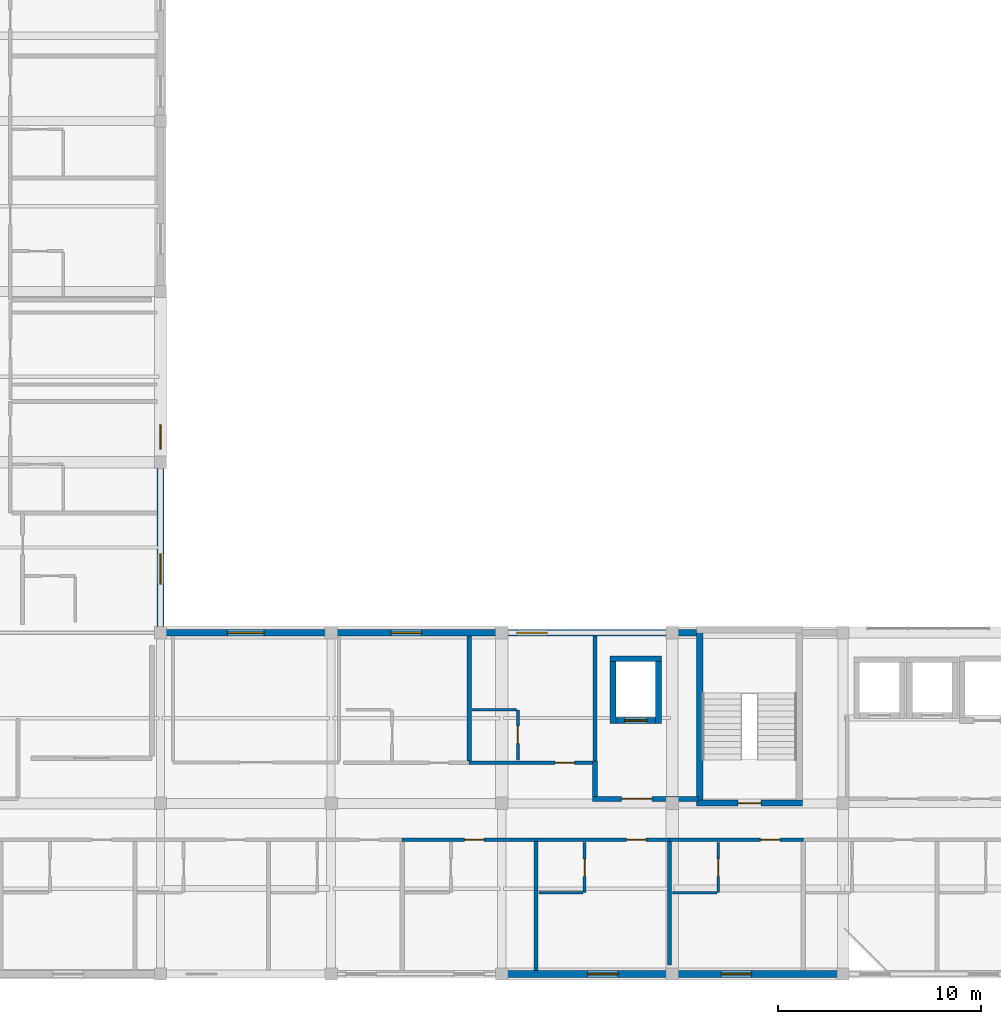
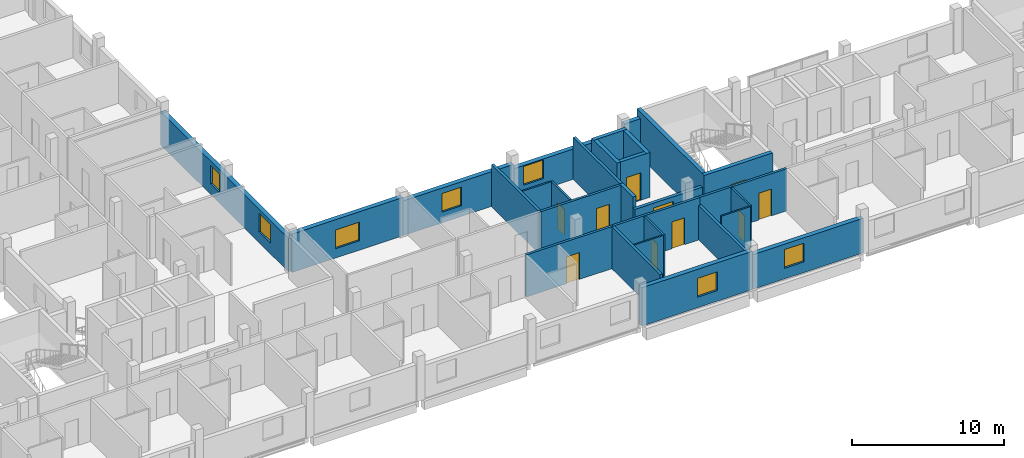
# One storey, part 14 of 24: 29 walls, 10 doors, 7 windows, 17 openings.
"""IFC4 building model written with IfcOpenShell, lengths in metres."""

from ifc_helpers import new_model, si_unit, derived_unit, direction, frame, frame_2d, origin, place, context, subcontext, project, spatial, rectangle, extrude, material, layer, layer_set, type_object, element, fill, save


model = new_model("IFC4")

# Units and contexts
model_context = context("Model", 3, precision=1e-05, world=origin(), true_north=direction((0.0, 1.0)))
body_context = subcontext(model_context, "Body", "Model", "MODEL_VIEW")
ifc_project = project(units=[si_unit("LENGTHUNIT", "METRE"), si_unit("AREAUNIT", "SQUARE_METRE"), si_unit("VOLUMEUNIT", "CUBIC_METRE"), si_unit("PLANEANGLEUNIT", "RADIAN"), si_unit("MASSUNIT", "GRAM", prefix="KILO"), derived_unit("THERMALTRANSMITTANCEUNIT", [(si_unit("POWERUNIT", "WATT"), 1), (si_unit("LENGTHUNIT", "METRE"), -2), (si_unit("THERMODYNAMICTEMPERATUREUNIT", "KELVIN"), -1)])], contexts=[model_context])

# Site, building, storey
site_placement = place(None, origin())
site = spatial("IfcSite", under=ifc_project, at=site_placement, CompositionType="ELEMENT")
building_placement = place(site_placement, origin())
building = spatial("IfcBuilding", under=site, at=building_placement, Name="Barrovel Congress Hotel", CompositionType="ELEMENT")
storey_placement = place(building_placement, frame((0.0, 0.0, 29.10009765625)))
storey = spatial("IfcBuildingStorey", under=building, at=storey_placement, Name="L07", CompositionType="ELEMENT", Elevation=29.10009765625)

# Wall, opening, window
ifc_material_1 = material(Name="Fired Clay Brick Masonry", Category="masonry")
ifc_layer_1 = layer(ifc_material_1, 0.340087890625)
ifc_layer_set_1 = layer_set([ifc_layer_1], Name="Fired Clay Brick Masonry")
wall_type_1 = type_object("IfcWallType", Name="EW-BRK340", PredefinedType="STANDARD", material=ifc_layer_set_1)
wall_1_placement = place(storey_placement, frame((75.60009765625, 21.0, 0.0), z_axis=(0.0, 0.0, 1.0), x_axis=(-1.0, 0.0, 0.0)))
wall_1 = element("IfcWall", 1, at=wall_1_placement, inside=storey, type_object=wall_type_1, Name="EW:L07:HS-NE-4", PredefinedType="STANDARD", context=body_context, shape_type="SweptSolid", body=[
    extrude(rectangle(XDim=8.400146484375, YDim=0.340087890625, at=frame_2d((4.2001953125, 0.0))), origin(), (0.0, 0.0, 1.0), 2.429931640625),
])
opening_1_placement = place(wall_1_placement, frame((6.14990234375, 0.0, 0.85009765625)))
opening_1 = element("IfcOpeningElement", 2, at=opening_1_placement, cuts=wall_1, Name="Opening WN-07", PredefinedType="OPENING", context=body_context, shape_type="SweptSolid", body=[
    extrude(rectangle(XDim=1.5, YDim=1.5, at=frame_2d((0.75, 0.75))), frame((0.0, 0.18017578125, 0.0), z_axis=(0.0, -1.0, 0.0), x_axis=(1.0, 0.0, 0.0)), (0.0, 0.0, 1.0), 0.360107421875),
])
ifc_material_2 = material(Name="Double Low-E Insulated Glazing", Category="glass")
window_type_1 = type_object("IfcWindowType", Name="WIN-WN-07", PartitioningType="SINGLE_PANEL", PredefinedType="WINDOW", material=ifc_material_2)
window_1_placement = place(opening_1_placement, origin())
window_1 = element("IfcWindow", 3, at=window_1_placement, inside=storey, type_object=window_type_1, Name="WIN:L07:U20", OverallHeight=1.5, OverallWidth=1.5, PartitioningType="SINGLE_PANEL", PredefinedType="WINDOW", context=body_context, shape_type="SweptSolid", body=[
    extrude(rectangle(XDim=1.5, YDim=1.5, at=frame_2d((0.75, 0.75))), frame((0.0, 0.030029296875, 0.0), z_axis=(0.0, -1.0, 0.0), x_axis=(1.0, 0.0, 0.0)), (0.0, 0.0, 1.0), 0.06005859375),
])
fill(opening_1, window_1)

# Wall, openings, windows
wall_2_placement = place(storey_placement, frame((50.39990234375, 21.0, 0.0), z_axis=(0.0, 0.0, 1.0), x_axis=(0.0, 1.0, 0.0)))
wall_2 = element("IfcWall", 4, at=wall_2_placement, inside=storey, type_object=wall_type_1, Name="EW:L07:HW-E-1", PredefinedType="STANDARD", context=body_context, shape_type="SweptSolid", body=[
    extrude(rectangle(XDim=16.800048828125, YDim=0.340087890625, at=frame_2d((8.39990234375, 0.0))), origin(), (0.0, 0.0, 1.0), 2.679931640625),
])
opening_2_placement = place(wall_2_placement, frame((2.39990234375, 0.0, 0.85009765625)))
opening_2 = element("IfcOpeningElement", 5, at=opening_2_placement, cuts=wall_2, Name="Opening WN-07", PredefinedType="OPENING", context=body_context, shape_type="SweptSolid", body=[
    extrude(rectangle(XDim=1.5, YDim=1.5, at=frame_2d((0.75, 0.75))), frame((0.0, 0.18017578125, 0.0), z_axis=(0.0, -1.0, 0.0), x_axis=(1.0, 0.0, 0.0)), (0.0, 0.0, 1.0), 0.360107421875),
])
opening_3_placement = place(wall_2_placement, frame((9.050048828125, 0.0, 0.85009765625)))
opening_3 = element("IfcOpeningElement", 6, at=opening_3_placement, cuts=wall_2, Name="Opening WN-06", PredefinedType="OPENING", context=body_context, shape_type="SweptSolid", body=[
    extrude(rectangle(XDim=1.199951171875, YDim=1.5, at=frame_2d((0.60009765625, 0.75))), frame((0.0, 0.18017578125, 0.0), z_axis=(0.0, -1.0, 0.0), x_axis=(1.0, 0.0, 0.0)), (0.0, 0.0, 1.0), 0.360107421875),
])
window_type_2 = type_object("IfcWindowType", Name="WIN-WN-06", PartitioningType="SINGLE_PANEL", PredefinedType="WINDOW", material=ifc_material_2)
window_2_placement = place(opening_3_placement, origin())
window_2 = element("IfcWindow", 7, at=window_2_placement, inside=storey, type_object=window_type_2, Name="WIN:L07:U38", OverallHeight=1.5, OverallWidth=1.199951171875, PartitioningType="SINGLE_PANEL", PredefinedType="WINDOW", context=body_context, shape_type="SweptSolid", body=[
    extrude(rectangle(XDim=1.199951171875, YDim=1.5, at=frame_2d((0.60009765625, 0.75))), frame((0.0, 0.030029296875, 0.0), z_axis=(0.0, -1.0, 0.0), x_axis=(1.0, 0.0, 0.0)), (0.0, 0.0, 1.0), 0.06005859375),
])
fill(opening_3, window_2)
window_3_placement = place(opening_2_placement, origin())
window_3 = element("IfcWindow", 8, at=window_3_placement, inside=storey, type_object=window_type_1, Name="WIN:L07:U37", OverallHeight=1.5, OverallWidth=1.5, PartitioningType="SINGLE_PANEL", PredefinedType="WINDOW", context=body_context, shape_type="SweptSolid", body=[
    extrude(rectangle(XDim=1.5, YDim=1.5, at=frame_2d((0.75, 0.75))), frame((0.0, 0.030029296875, 0.0), z_axis=(0.0, -1.0, 0.0), x_axis=(1.0, 0.0, 0.0)), (0.0, 0.0, 1.0), 0.06005859375),
])
fill(opening_2, window_3)

# Wall, opening, window
wall_3_placement = place(storey_placement, frame((67.199951171875, 4.199951171875, 0.0), z_axis=(0.0, 0.0, 1.0), x_axis=(1.0, 0.0, 0.0)))
wall_3 = element("IfcWall", 9, at=wall_3_placement, inside=storey, type_object=wall_type_1, Name="EW:L07:HS-S:P06", PredefinedType="STANDARD", context=body_context, shape_type="SweptSolid", body=[
    extrude(rectangle(XDim=8.400146484375, YDim=0.340087890625, at=frame_2d((4.2001953125, 0.0))), origin(), (0.0, 0.0, 1.0), 3.0751953125),
])
opening_4_placement = place(wall_3_placement, frame((4.22509765625, 0.0, 0.85009765625)))
opening_4 = element("IfcOpeningElement", 10, at=opening_4_placement, cuts=wall_3, Name="Opening WN-07", PredefinedType="OPENING", context=body_context, shape_type="SweptSolid", body=[
    extrude(rectangle(XDim=1.5, YDim=1.5, at=frame_2d((0.75, 0.75))), frame((0.0, 0.18017578125, 0.0), z_axis=(0.0, -1.0, 0.0), x_axis=(1.0, 0.0, 0.0)), (0.0, 0.0, 1.0), 0.360107421875),
])
window_4_placement = place(opening_4_placement, origin())
window_4 = element("IfcWindow", 11, at=window_4_placement, inside=storey, type_object=window_type_1, Name="WIN:L07:U09", OverallHeight=1.5, OverallWidth=1.5, PartitioningType="SINGLE_PANEL", PredefinedType="WINDOW", context=body_context, shape_type="SweptSolid", body=[
    extrude(rectangle(XDim=1.5, YDim=1.5, at=frame_2d((0.75, 0.75))), frame((0.0, 0.030029296875, 0.0), z_axis=(0.0, -1.0, 0.0), x_axis=(1.0, 0.0, 0.0)), (0.0, 0.0, 1.0), 0.06005859375),
])
fill(opening_4, window_4)

wall_4_placement = place(storey_placement, frame((75.60009765625, 4.199951171875, 0.0), z_axis=(0.0, 0.0, 1.0), x_axis=(1.0, 0.0, 0.0)))
wall_4 = element("IfcWall", 12, at=wall_4_placement, inside=storey, type_object=wall_type_1, Name="EW:L07:HS-S:P07", PredefinedType="STANDARD", context=body_context, shape_type="SweptSolid", body=[
    extrude(rectangle(XDim=8.39990234375, YDim=0.340087890625, at=frame_2d((4.199951171875, 0.0))), origin(), (0.0, 0.0, 1.0), 2.77978515625),
])
opening_5_placement = place(wall_4_placement, frame((2.408447265625, 0.0, 0.85009765625)))
opening_5 = element("IfcOpeningElement", 13, at=opening_5_placement, cuts=wall_4, Name="Opening WN-07", PredefinedType="OPENING", context=body_context, shape_type="SweptSolid", body=[
    extrude(rectangle(XDim=1.5, YDim=1.5, at=frame_2d((0.75, 0.75))), frame((0.0, 0.18017578125, 0.0), z_axis=(0.0, -1.0, 0.0), x_axis=(1.0, 0.0, 0.0)), (0.0, 0.0, 1.0), 0.360107421875),
])
window_5_placement = place(opening_5_placement, origin())
window_5 = element("IfcWindow", 14, at=window_5_placement, inside=storey, type_object=window_type_1, Name="WIN:L07:U10", OverallHeight=1.5, OverallWidth=1.5, PartitioningType="SINGLE_PANEL", PredefinedType="WINDOW", context=body_context, shape_type="SweptSolid", body=[
    extrude(rectangle(XDim=1.5, YDim=1.5, at=frame_2d((0.75, 0.75))), frame((0.0, 0.030029296875, 0.0), z_axis=(0.0, -1.0, 0.0), x_axis=(1.0, 0.0, 0.0)), (0.0, 0.0, 1.0), 0.06005859375),
])
fill(opening_5, window_5)

# Wall
wall_5_placement = place(storey_placement, frame((76.800048828125, 21.0, 0.0), z_axis=(0.0, 0.0, 1.0), x_axis=(-1.0, 0.0, 0.0)))
element("IfcWall", 15, at=wall_5_placement, inside=storey, type_object=wall_type_1, Name="EW:L07:HS-NE-4:P01", PredefinedType="STANDARD", context=body_context, shape_type="SweptSolid", body=[
    extrude(rectangle(XDim=1.199951171875, YDim=0.340087890625, at=frame_2d((0.60009765625, 0.0))), origin(), (0.0, 0.0, 1.0), 3.06982421875),
])

# Wall, opening, window
wall_6_placement = place(storey_placement, frame((67.199951171875, 21.0, 0.0), z_axis=(0.0, 0.0, 1.0), x_axis=(-1.0, 0.0, 0.0)))
wall_6 = element("IfcWall", 16, at=wall_6_placement, inside=storey, type_object=wall_type_1, Name="EW:L07:HS-NE-4:P03", PredefinedType="STANDARD", context=body_context, shape_type="SweptSolid", body=[
    extrude(rectangle(XDim=8.39990234375, YDim=0.340087890625, at=frame_2d((4.199951171875, 0.0))), origin(), (0.0, 0.0, 1.0), 2.77978515625),
])
opening_6_placement = place(wall_6_placement, frame((3.949951171875, 0.0, 0.85009765625)))
opening_6 = element("IfcOpeningElement", 17, at=opening_6_placement, cuts=wall_6, Name="Opening WN-07", PredefinedType="OPENING", context=body_context, shape_type="SweptSolid", body=[
    extrude(rectangle(XDim=1.5, YDim=1.5, at=frame_2d((0.75, 0.75))), frame((0.0, 0.18017578125, 0.0), z_axis=(0.0, -1.0, 0.0), x_axis=(1.0, 0.0, 0.0)), (0.0, 0.0, 1.0), 0.360107421875),
])
window_6_placement = place(opening_6_placement, origin())
window_6 = element("IfcWindow", 18, at=window_6_placement, inside=storey, type_object=window_type_1, Name="WIN:L07:U19", OverallHeight=1.5, OverallWidth=1.5, PartitioningType="SINGLE_PANEL", PredefinedType="WINDOW", context=body_context, shape_type="SweptSolid", body=[
    extrude(rectangle(XDim=1.5, YDim=1.5, at=frame_2d((0.75, 0.75))), frame((0.0, 0.030029296875, 0.0), z_axis=(0.0, -1.0, 0.0), x_axis=(1.0, 0.0, 0.0)), (0.0, 0.0, 1.0), 0.06005859375),
])
fill(opening_6, window_6)

wall_7_placement = place(storey_placement, frame((58.800048828125, 21.0, 0.0), z_axis=(0.0, 0.0, 1.0), x_axis=(-1.0, 0.0, 0.0)))
wall_7 = element("IfcWall", 19, at=wall_7_placement, inside=storey, type_object=wall_type_1, Name="EW:L07:HS-NE-4:P04", PredefinedType="STANDARD", context=body_context, shape_type="SweptSolid", body=[
    extrude(rectangle(XDim=8.400146484375, YDim=0.340087890625, at=frame_2d((4.2001953125, 0.0))), origin(), (0.0, 0.0, 1.0), 3.0751953125),
])
opening_7_placement = place(wall_7_placement, frame((3.300048828125, 0.0, 0.75)))
opening_7 = element("IfcOpeningElement", 20, at=opening_7_placement, cuts=wall_7, Name="Opening WN-08", PredefinedType="OPENING", context=body_context, shape_type="SweptSolid", body=[
    extrude(rectangle(XDim=1.800048828125, YDim=1.5, at=frame_2d((0.89990234375, 0.75))), frame((0.0, 0.18017578125, 0.0), z_axis=(0.0, -1.0, 0.0), x_axis=(1.0, 0.0, 0.0)), (0.0, 0.0, 1.0), 0.360107421875),
])
window_type_3 = type_object("IfcWindowType", Name="WIN-WN-08", PartitioningType="SINGLE_PANEL", PredefinedType="WINDOW", material=ifc_material_2)
window_7_placement = place(opening_7_placement, origin())
window_7 = element("IfcWindow", 21, at=window_7_placement, inside=storey, type_object=window_type_3, Name="WIN:L07:SALON", OverallHeight=1.5, OverallWidth=1.800048828125, PartitioningType="SINGLE_PANEL", PredefinedType="WINDOW", context=body_context, shape_type="SweptSolid", body=[
    extrude(rectangle(XDim=1.800048828125, YDim=1.5, at=frame_2d((0.89990234375, 0.75))), frame((0.0, 0.030029296875, 0.0), z_axis=(0.0, -1.0, 0.0), x_axis=(1.0, 0.0, 0.0)), (0.0, 0.0, 1.0), 0.06005859375),
])
fill(opening_7, window_7)

# Wall, opening, door
ifc_material_3 = material(Name="Gypsum Acoustic Stud", Category="gypsum")
ifc_layer_2 = layer(ifc_material_3, 0.179931640625)
ifc_layer_set_2 = layer_set([ifc_layer_2], Name="Gypsum Acoustic Stud")
wall_type_2 = type_object("IfcWallType", Name="PW-ACU-180", PredefinedType="PARTITIONING", material=ifc_layer_set_2)
wall_8_placement = place(storey_placement, frame((62.300048828125, 10.800048828125, 0.0), z_axis=(0.0, 0.0, 1.0), x_axis=(1.0, 0.0, 0.0)))
wall_8 = element("IfcWall", 22, at=wall_8_placement, inside=storey, type_object=wall_type_2, Name="PW:L07:U08:COR", PredefinedType="PARTITIONING", context=body_context, shape_type="SweptSolid", body=[
    extrude(rectangle(XDim=6.583251953125, YDim=0.179931640625, at=frame_2d((3.29150390625, 0.0))), origin(), (0.0, 0.0, 1.0), 3.375),
])
opening_8_placement = place(wall_8_placement, frame((3.068603515625, 0.0, 0.0)))
opening_8 = element("IfcOpeningElement", 23, at=opening_8_placement, cuts=wall_8, Name="Opening ID-HTL", PredefinedType="OPENING", context=body_context, shape_type="SweptSolid", body=[
    extrude(rectangle(XDim=0.9599609375, YDim=2.14990234375, at=frame_2d((0.47998046875, 1.074951171875))), frame((0.0, 0.10009765625, 0.0), z_axis=(0.0, -1.0, 0.0), x_axis=(1.0, 0.0, 0.0)), (0.0, 0.0, 1.0), 0.199951171875),
])
ifc_material_4 = material(Name="Solid Oak Acoustic Timber Door", Category="wood")
door_type_1 = type_object("IfcDoorType", Name="IDR-ID-HTL", OperationType="NOTDEFINED", PredefinedType="DOOR", material=ifc_material_4)
door_1_placement = place(opening_8_placement, origin())
door_1 = element("IfcDoor", 24, at=door_1_placement, inside=storey, type_object=door_type_1, Name="DR:L07:U08:ENT", OperationType="SINGLE_SWING_RIGHT", OverallHeight=2.14990234375, OverallWidth=0.9599609375, PredefinedType="DOOR", context=body_context, shape_type="SweptSolid", body=[
    extrude(rectangle(XDim=0.9599609375, YDim=2.14990234375, at=frame_2d((0.47998046875, 1.074951171875))), frame((0.0, 0.02490234375, 0.0), z_axis=(0.0, -1.0, 0.0), x_axis=(1.0, 0.0, 0.0)), (0.0, 0.0, 1.0), 0.050048828125),
])
fill(opening_8, door_1)

wall_9_placement = place(storey_placement, frame((68.88330078125, 10.800048828125, 0.0), z_axis=(0.0, 0.0, 1.0), x_axis=(1.0, 0.0, 0.0)))
wall_9 = element("IfcWall", 25, at=wall_9_placement, inside=storey, type_object=wall_type_2, Name="PW:L07:U09:COR", PredefinedType="PARTITIONING", context=body_context, shape_type="SweptSolid", body=[
    extrude(rectangle(XDim=6.58349609375, YDim=0.179931640625, at=frame_2d((3.291748046875, 0.0))), origin(), (0.0, 0.0, 1.0), 3.375),
])
opening_9_placement = place(wall_9_placement, frame((4.46875, 0.0, 0.0)))
opening_9 = element("IfcOpeningElement", 26, at=opening_9_placement, cuts=wall_9, Name="Opening ID-HTL", PredefinedType="OPENING", context=body_context, shape_type="SweptSolid", body=[
    extrude(rectangle(XDim=0.9599609375, YDim=2.14990234375, at=frame_2d((0.47998046875, 1.074951171875))), frame((0.0, 0.10009765625, 0.0), z_axis=(0.0, -1.0, 0.0), x_axis=(1.0, 0.0, 0.0)), (0.0, 0.0, 1.0), 0.199951171875),
])
door_2_placement = place(opening_9_placement, origin())
door_2 = element("IfcDoor", 27, at=door_2_placement, inside=storey, type_object=door_type_1, Name="DR:L07:U09:ENT", OperationType="SINGLE_SWING_RIGHT", OverallHeight=2.14990234375, OverallWidth=0.9599609375, PredefinedType="DOOR", context=body_context, shape_type="SweptSolid", body=[
    extrude(rectangle(XDim=0.9599609375, YDim=2.14990234375, at=frame_2d((0.47998046875, 1.074951171875))), frame((0.0, 0.02490234375, 0.0), z_axis=(0.0, -1.0, 0.0), x_axis=(1.0, 0.0, 0.0)), (0.0, 0.0, 1.0), 0.050048828125),
])
fill(opening_9, door_2)

wall_10_placement = place(storey_placement, frame((75.466796875, 10.800048828125, 0.0), z_axis=(0.0, 0.0, 1.0), x_axis=(1.0, 0.0, 0.0)))
wall_10 = element("IfcWall", 28, at=wall_10_placement, inside=storey, type_object=wall_type_2, Name="PW:L07:U10:COR", PredefinedType="PARTITIONING", context=body_context, shape_type="SweptSolid", body=[
    extrude(rectangle(XDim=6.583251953125, YDim=0.179931640625, at=frame_2d((3.29150390625, 0.0))), origin(), (0.0, 0.0, 1.0), 3.375),
])
opening_10_placement = place(wall_10_placement, frame((4.468505859375, 0.0, 0.0)))
opening_10 = element("IfcOpeningElement", 29, at=opening_10_placement, cuts=wall_10, Name="Opening ID-HTL", PredefinedType="OPENING", context=body_context, shape_type="SweptSolid", body=[
    extrude(rectangle(XDim=0.9599609375, YDim=2.14990234375, at=frame_2d((0.47998046875, 1.074951171875))), frame((0.0, 0.10009765625, 0.0), z_axis=(0.0, -1.0, 0.0), x_axis=(1.0, 0.0, 0.0)), (0.0, 0.0, 1.0), 0.199951171875),
])
door_3_placement = place(opening_10_placement, origin())
door_3 = element("IfcDoor", 30, at=door_3_placement, inside=storey, type_object=door_type_1, Name="DR:L07:U10:ENT", OperationType="SINGLE_SWING_RIGHT", OverallHeight=2.14990234375, OverallWidth=0.9599609375, PredefinedType="DOOR", context=body_context, shape_type="SweptSolid", body=[
    extrude(rectangle(XDim=0.9599609375, YDim=2.14990234375, at=frame_2d((0.47998046875, 1.074951171875))), frame((0.0, 0.02490234375, 0.0), z_axis=(0.0, -1.0, 0.0), x_axis=(1.0, 0.0, 0.0)), (0.0, 0.0, 1.0), 0.050048828125),
])
fill(opening_10, door_3)

wall_11_placement = place(storey_placement, frame((65.60009765625, 14.60009765625, 0.0), z_axis=(0.0, 0.0, 1.0), x_axis=(1.0, 0.0, 0.0)))
wall_11 = element("IfcWall", 31, at=wall_11_placement, inside=storey, type_object=wall_type_2, Name="PW:L07:U20:COR", PredefinedType="PARTITIONING", context=body_context, shape_type="SweptSolid", body=[
    extrude(rectangle(XDim=6.199951171875, YDim=0.179931640625, at=frame_2d((3.10009765625, 0.0))), origin(), (0.0, 0.0, 1.0), 3.375),
])
opening_11_placement = place(wall_11_placement, frame((4.23095703125, 0.0, 0.0)))
opening_11 = element("IfcOpeningElement", 32, at=opening_11_placement, cuts=wall_11, Name="Opening ID-HTL", PredefinedType="OPENING", context=body_context, shape_type="SweptSolid", body=[
    extrude(rectangle(XDim=0.9599609375, YDim=2.14990234375, at=frame_2d((0.47998046875, 1.074951171875))), frame((0.0, 0.10009765625, 0.0), z_axis=(0.0, -1.0, 0.0), x_axis=(1.0, 0.0, 0.0)), (0.0, 0.0, 1.0), 0.199951171875),
])
door_4_placement = place(opening_11_placement, origin())
door_4 = element("IfcDoor", 33, at=door_4_placement, inside=storey, type_object=door_type_1, Name="DR:L07:U20:ENT", OperationType="SINGLE_SWING_RIGHT", OverallHeight=2.14990234375, OverallWidth=0.9599609375, PredefinedType="DOOR", context=body_context, shape_type="SweptSolid", body=[
    extrude(rectangle(XDim=0.9599609375, YDim=2.14990234375, at=frame_2d((0.47998046875, 1.074951171875))), frame((0.0, 0.02490234375, 0.0), z_axis=(0.0, -1.0, 0.0), x_axis=(1.0, 0.0, 0.0)), (0.0, 0.0, 1.0), 0.050048828125),
])
fill(opening_11, door_4)

# Walls
ifc_layer_3 = layer(ifc_material_3, 0.1201171875)
ifc_layer_set_3 = layer_set([ifc_layer_3], Name="Gypsum Acoustic Stud")
wall_type_3 = type_object("IfcWallType", Name="PW-INT-120", PredefinedType="PARTITIONING", material=ifc_layer_set_3)
wall_12_placement = place(storey_placement, frame((69.023193359375, 8.199951171875, 0.0), z_axis=(0.0, 0.0, 1.0), x_axis=(1.0, 0.0, 0.0)))
element("IfcWall", 34, at=wall_12_placement, inside=storey, type_object=wall_type_3, Name="PW:L07:U09:B2", PredefinedType="PARTITIONING", context=body_context, shape_type="SweptSolid", body=[
    extrude(rectangle(XDim=2.190185546875, YDim=0.1201171875, at=frame_2d((1.09521484375, 0.0))), origin(), (0.0, 0.0, 1.0), 3.375),
])
for number, where, z_axis, x_axis, name in (
    (35, (75.606689453125, 8.199951171875, 0.0), (0.0, 0.0, 1.0), (1.0, 0.0, 0.0), "PW:L07:U10:B2"),
    (36, (65.739990234375, 17.199951171875, 0.0), (0.0, 0.0, 1.0), (1.0, 0.0, 0.0), "PW:L07:U20:B2"),
):
    element("IfcWall", number, at=place(storey_placement, frame(where, z_axis=z_axis, x_axis=x_axis)), inside=storey, type_object=wall_type_3, Name=name, PredefinedType="PARTITIONING", context=body_context, shape_type="SweptSolid", body=[
        extrude(rectangle(XDim=2.18994140625, YDim=0.1201171875, at=frame_2d((1.094970703125, 0.0))), origin(), (0.0, 0.0, 1.0), 3.375),
    ])
ifc_layer_4 = layer(ifc_material_1, 0.199951171875)
ifc_layer_set_4 = layer_set([ifc_layer_4], Name="Fired Clay Brick Masonry")
wall_type_4 = type_object("IfcWallType", Name="PW-MAS-200", PredefinedType="PARTITIONING", material=ifc_layer_set_4)
wall_13_placement = place(storey_placement, frame((68.88330078125, 4.3701171875, 0.0), z_axis=(0.0, 0.0, 1.0), x_axis=(0.0, 1.0, 0.0)))
element("IfcWall", 37, at=wall_13_placement, inside=storey, type_object=wall_type_4, Name="PW:L07:U08:DEM", PredefinedType="PARTITIONING", context=body_context, shape_type="SweptSolid", body=[
    extrude(rectangle(XDim=6.33984375, YDim=0.199951171875, at=frame_2d((3.169921875, 0.0))), origin(), (0.0, 0.0, 1.0), 3.375),
])
wall_14_placement = place(storey_placement, frame((75.466796875, 4.64990234375, 0.0), z_axis=(0.0, 0.0, 1.0), x_axis=(0.0, 1.0, 0.0)))
element("IfcWall", 38, at=wall_14_placement, inside=storey, type_object=wall_type_4, Name="PW:L07:U09:DEM", PredefinedType="PARTITIONING", context=body_context, shape_type="SweptSolid", body=[
    extrude(rectangle(XDim=6.06005859375, YDim=0.199951171875, at=frame_2d((3.030029296875, 0.0))), origin(), (0.0, 0.0, 1.0), 2.77978515625),
])
for number, where, z_axis, x_axis, name in (
    (39, (65.60009765625, 14.68994140625, 0.0), (0.0, 0.0, 1.0), (0.0, 1.0, 0.0), "PW:L07:U19:DEM"),
    (40, (71.800048828125, 14.68994140625, 0.0), (0.0, 0.0, 1.0), (0.0, 1.0, 0.0), "PW:L07:U20:DEM"),
):
    element("IfcWall", number, at=place(storey_placement, frame(where, z_axis=z_axis, x_axis=x_axis)), inside=storey, type_object=wall_type_4, Name=name, PredefinedType="PARTITIONING", context=body_context, shape_type="SweptSolid", body=[
        extrude(rectangle(XDim=6.14013671875, YDim=0.199951171875, at=frame_2d((3.070068359375, 0.0))), origin(), (0.0, 0.0, 1.0), 3.375),
    ])

# Wall, opening, door
ifc_layer_5 = layer(ifc_material_1, 0.239990234375)
ifc_layer_set_5 = layer_set([ifc_layer_5], Name="Fired Clay Brick Masonry")
wall_type_5 = type_object("IfcWallType", Name="PW-MAS-240", PredefinedType="PARTITIONING", material=ifc_layer_set_5)
wall_15_placement = place(storey_placement, frame((71.679931640625, 12.820068359375, 0.0), z_axis=(0.0, 0.0, 1.0), x_axis=(1.0, 0.0, 0.0)))
wall_15 = element("IfcWall", 41, at=wall_15_placement, inside=storey, type_object=wall_type_5, Name="RW:SP:L07:FFL-2:S", PredefinedType="PARTITIONING", context=body_context, shape_type="SweptSolid", body=[
    extrude(rectangle(XDim=5.199951171875, YDim=0.239990234375, at=frame_2d((2.60009765625, 0.0))), origin(), (0.0, 0.0, 1.0), 2.52978515625),
])
opening_12_placement = place(wall_15_placement, frame((1.419921875, 0.0, 0.0)))
opening_12 = element("IfcOpeningElement", 42, at=opening_12_placement, cuts=wall_15, Name="Opening ID-FFL", PredefinedType="OPENING", context=body_context, shape_type="SweptSolid", body=[
    extrude(rectangle(XDim=1.5, YDim=2.14990234375, at=frame_2d((0.75, 1.074951171875))), frame((0.0, 0.1298828125, 0.0), z_axis=(0.0, -1.0, 0.0), x_axis=(1.0, 0.0, 0.0)), (0.0, 0.0, 1.0), 0.260009765625),
])
ifc_material_5 = material(Name="Painted Hollow-Metal Steel Door", Category="steel")
door_type_2 = type_object("IfcDoorType", Name="IDR-ID-FFL", OperationType="NOTDEFINED", PredefinedType="DOOR", material=ifc_material_5)
door_5_placement = place(opening_12_placement, origin())
door_5 = element("IfcDoor", 43, at=door_5_placement, inside=storey, type_object=door_type_2, Name="RD:SP:L07:FFL-2", OperationType="DOUBLE_DOOR_SINGLE_SWING", OverallHeight=2.14990234375, OverallWidth=1.5, PredefinedType="DOOR", context=body_context, shape_type="SweptSolid", body=[
    extrude(rectangle(XDim=1.5, YDim=2.14990234375, at=frame_2d((0.75, 1.074951171875))), frame((0.0, 0.02490234375, 0.0), z_axis=(0.0, -1.0, 0.0), x_axis=(1.0, 0.0, 0.0)), (0.0, 0.0, 1.0), 0.050048828125),
])
fill(opening_12, door_5)

# Wall
wall_16_placement = place(storey_placement, frame((71.800048828125, 12.93994140625, 0.0), z_axis=(0.0, 0.0, 1.0), x_axis=(0.0, 1.0, 0.0)))
element("IfcWall", 44, at=wall_16_placement, inside=storey, type_object=wall_type_5, Name="RW:SP:L07:FFL-2:W", PredefinedType="PARTITIONING", context=body_context, shape_type="SweptSolid", body=[
    extrude(rectangle(XDim=1.75, YDim=0.239990234375, at=frame_2d((0.875, 0.0))), origin(), (0.0, 0.0, 1.0), 3.375),
])

# Wall, opening, door
ifc_material_6 = material(Name="Gypsum Moisture Board", Category="gypsum")
ifc_layer_6 = layer(ifc_material_6, 0.139892578125)
ifc_layer_set_6 = layer_set([ifc_layer_6], Name="Gypsum Moisture Board")
wall_type_6 = type_object("IfcWallType", Name="PW-WET-140", PredefinedType="PARTITIONING", material=ifc_layer_set_6)
wall_17_placement = place(storey_placement, frame((71.283203125, 8.199951171875, 0.0), z_axis=(0.0, 0.0, 1.0), x_axis=(0.0, 1.0, 0.0)))
wall_17 = element("IfcWall", 45, at=wall_17_placement, inside=storey, type_object=wall_type_6, Name="PW:L07:U09:B1", PredefinedType="PARTITIONING", context=body_context, shape_type="SweptSolid", body=[
    extrude(rectangle(XDim=2.4599609375, YDim=0.139892578125, at=frame_2d((1.22998046875, 0.0))), origin(), (0.0, 0.0, 1.0), 3.375),
])
opening_13_placement = place(wall_17_placement, frame((0.800048828125, 0.0, 0.0)))
opening_13 = element("IfcOpeningElement", 46, at=opening_13_placement, cuts=wall_17, Name="Opening ID-ENS", PredefinedType="OPENING", context=body_context, shape_type="SweptSolid", body=[
    extrude(rectangle(XDim=0.860107421875, YDim=2.10009765625, at=frame_2d((0.43017578125, 1.050048828125))), frame((0.0, 0.080078125, 0.0), z_axis=(0.0, -1.0, 0.0), x_axis=(1.0, 0.0, 0.0)), (0.0, 0.0, 1.0), 0.159912109375),
])
ifc_material_7 = material(Name="Lacquered Timber Moisture Door", Category="wood")
door_type_3 = type_object("IfcDoorType", Name="IDR-ID-ENS", OperationType="NOTDEFINED", PredefinedType="DOOR", material=ifc_material_7)
door_6_placement = place(opening_13_placement, origin())
door_6 = element("IfcDoor", 47, at=door_6_placement, inside=storey, type_object=door_type_3, Name="DR:L07:U09:ENS", OperationType="SINGLE_SWING_LEFT", OverallHeight=2.10009765625, OverallWidth=0.860107421875, PredefinedType="DOOR", context=body_context, shape_type="SweptSolid", body=[
    extrude(rectangle(XDim=0.860107421875, YDim=2.10009765625, at=frame_2d((0.43017578125, 1.050048828125))), frame((0.0, 0.02490234375, 0.0), z_axis=(0.0, -1.0, 0.0), x_axis=(1.0, 0.0, 0.0)), (0.0, 0.0, 1.0), 0.050048828125),
])
fill(opening_13, door_6)

wall_18_placement = place(storey_placement, frame((77.86669921875, 8.199951171875, 0.0), z_axis=(0.0, 0.0, 1.0), x_axis=(0.0, 1.0, 0.0)))
wall_18 = element("IfcWall", 48, at=wall_18_placement, inside=storey, type_object=wall_type_6, Name="PW:L07:U10:B1", PredefinedType="PARTITIONING", context=body_context, shape_type="SweptSolid", body=[
    extrude(rectangle(XDim=2.4599609375, YDim=0.139892578125, at=frame_2d((1.22998046875, 0.0))), origin(), (0.0, 0.0, 1.0), 3.375),
])
opening_14_placement = place(wall_18_placement, frame((0.800048828125, 0.0, 0.0)))
opening_14 = element("IfcOpeningElement", 49, at=opening_14_placement, cuts=wall_18, Name="Opening ID-ENS", PredefinedType="OPENING", context=body_context, shape_type="SweptSolid", body=[
    extrude(rectangle(XDim=0.860107421875, YDim=2.10009765625, at=frame_2d((0.43017578125, 1.050048828125))), frame((0.0, 0.080078125, 0.0), z_axis=(0.0, -1.0, 0.0), x_axis=(1.0, 0.0, 0.0)), (0.0, 0.0, 1.0), 0.159912109375),
])
door_7_placement = place(opening_14_placement, origin())
door_7 = element("IfcDoor", 50, at=door_7_placement, inside=storey, type_object=door_type_3, Name="DR:L07:U10:ENS", OperationType="SINGLE_SWING_LEFT", OverallHeight=2.10009765625, OverallWidth=0.860107421875, PredefinedType="DOOR", context=body_context, shape_type="SweptSolid", body=[
    extrude(rectangle(XDim=0.860107421875, YDim=2.10009765625, at=frame_2d((0.43017578125, 1.050048828125))), frame((0.0, 0.02490234375, 0.0), z_axis=(0.0, -1.0, 0.0), x_axis=(1.0, 0.0, 0.0)), (0.0, 0.0, 1.0), 0.050048828125),
])
fill(opening_14, door_7)

wall_19_placement = place(storey_placement, frame((68.0, 14.739990234375, 0.0), z_axis=(0.0, 0.0, 1.0), x_axis=(0.0, 1.0, 0.0)))
wall_19 = element("IfcWall", 51, at=wall_19_placement, inside=storey, type_object=wall_type_6, Name="PW:L07:U20:B1", PredefinedType="PARTITIONING", context=body_context, shape_type="SweptSolid", body=[
    extrude(rectangle(XDim=2.4599609375, YDim=0.139892578125, at=frame_2d((1.22998046875, 0.0))), origin(), (0.0, 0.0, 1.0), 3.375),
])
opening_15_placement = place(wall_19_placement, frame((0.800048828125, 0.0, 0.0)))
opening_15 = element("IfcOpeningElement", 52, at=opening_15_placement, cuts=wall_19, Name="Opening ID-ENS", PredefinedType="OPENING", context=body_context, shape_type="SweptSolid", body=[
    extrude(rectangle(XDim=0.860107421875, YDim=2.10009765625, at=frame_2d((0.43017578125, 1.050048828125))), frame((0.0, 0.080078125, 0.0), z_axis=(0.0, -1.0, 0.0), x_axis=(1.0, 0.0, 0.0)), (0.0, 0.0, 1.0), 0.159912109375),
])
door_8_placement = place(opening_15_placement, origin())
door_8 = element("IfcDoor", 53, at=door_8_placement, inside=storey, type_object=door_type_3, Name="DR:L07:U20:ENS", OperationType="SINGLE_SWING_LEFT", OverallHeight=2.10009765625, OverallWidth=0.860107421875, PredefinedType="DOOR", context=body_context, shape_type="SweptSolid", body=[
    extrude(rectangle(XDim=0.860107421875, YDim=2.10009765625, at=frame_2d((0.43017578125, 1.050048828125))), frame((0.0, 0.02490234375, 0.0), z_axis=(0.0, -1.0, 0.0), x_axis=(1.0, 0.0, 0.0)), (0.0, 0.0, 1.0), 0.050048828125),
])
fill(opening_15, door_8)

ifc_material_8 = material(Name="Concrete C40", Category="concrete")
ifc_layer_7 = layer(ifc_material_8, 0.280029296875)
ifc_layer_set_7 = layer_set([ifc_layer_7], Name="Concrete C40")
wall_type_7 = type_object("IfcWallType", Name="SW-C40-280", PredefinedType="SHEAR", material=ifc_layer_set_7)
wall_20_placement = place(storey_placement, frame((72.5400390625, 16.679931640625, 0.0), z_axis=(0.0, 0.0, 1.0), x_axis=(1.0, 0.0, 0.0)))
wall_20 = element("IfcWall", 54, at=wall_20_placement, inside=storey, type_object=wall_type_7, Name="LSH:FL-2:L07:S", PredefinedType="SHEAR", context=body_context, shape_type="SweptSolid", body=[
    extrude(rectangle(XDim=2.52001953125, YDim=0.280029296875, at=frame_2d((1.260009765625, 0.0))), origin(), (0.0, 0.0, 1.0), 3.599853515625),
])
opening_16_placement = place(wall_20_placement, frame((0.7099609375, 0.0, 0.0)))
opening_16 = element("IfcOpeningElement", 55, at=opening_16_placement, cuts=wall_20, Name="Opening LD-FF", PredefinedType="OPENING", context=body_context, shape_type="SweptSolid", body=[
    extrude(rectangle(XDim=1.10009765625, YDim=2.199951171875, at=frame_2d((0.550048828125, 1.10009765625))), frame((0.0, 0.14990234375, 0.0), z_axis=(0.0, -1.0, 0.0), x_axis=(1.0, 0.0, 0.0)), (0.0, 0.0, 1.0), 0.300048828125),
])
ifc_material_9 = material(Name="Brushed Stainless Steel", Category="steel")
door_type_4 = type_object("IfcDoorType", Name="IDR-LD-FF", OperationType="NOTDEFINED", PredefinedType="DOOR", material=ifc_material_9)
door_9_placement = place(opening_16_placement, origin())
door_9 = element("IfcDoor", 56, at=door_9_placement, inside=storey, type_object=door_type_4, Name="Lift Landing Door LD-FL-2-L07", OperationType="SLIDING_TO_LEFT", OverallHeight=2.199951171875, OverallWidth=1.10009765625, PredefinedType="DOOR", context=body_context, shape_type="SweptSolid", body=[
    extrude(rectangle(XDim=1.10009765625, YDim=2.199951171875, at=frame_2d((0.550048828125, 1.10009765625))), frame((0.0, 0.02490234375, 0.0), z_axis=(0.0, -1.0, 0.0), x_axis=(1.0, 0.0, 0.0)), (0.0, 0.0, 1.0), 0.050048828125),
])
fill(opening_16, door_9)

# Walls
wall_21_placement = place(storey_placement, frame((74.919921875, 16.5400390625, 0.0), z_axis=(0.0, 0.0, 1.0), x_axis=(0.0, 1.0, 0.0)))
element("IfcWall", 57, at=wall_21_placement, inside=storey, type_object=wall_type_7, Name="LSH:FL-2:L07:E", PredefinedType="SHEAR", context=body_context, shape_type="SweptSolid", body=[
    extrude(rectangle(XDim=3.320068359375, YDim=0.280029296875, at=frame_2d((1.66015625, 0.0))), origin(), (0.0, 0.0, 1.0), 3.599853515625),
])
wall_22_placement = place(storey_placement, frame((75.06005859375, 19.719970703125, 0.0), z_axis=(0.0, 0.0, 1.0), x_axis=(-1.0, 0.0, 0.0)))
element("IfcWall", 58, at=wall_22_placement, inside=storey, type_object=wall_type_7, Name="LSH:FL-2:L07:N", PredefinedType="SHEAR", context=body_context, shape_type="SweptSolid", body=[
    extrude(rectangle(XDim=2.52001953125, YDim=0.280029296875, at=frame_2d((1.260009765625, 0.0))), origin(), (0.0, 0.0, 1.0), 3.599853515625),
])
wall_23_placement = place(storey_placement, frame((72.679931640625, 19.860107421875, 0.0), z_axis=(0.0, 0.0, 1.0), x_axis=(0.0, -1.0, 0.0)))
element("IfcWall", 59, at=wall_23_placement, inside=storey, type_object=wall_type_7, Name="LSH:FL-2:L07:W", PredefinedType="SHEAR", context=body_context, shape_type="SweptSolid", body=[
    extrude(rectangle(XDim=3.320068359375, YDim=0.280029296875, at=frame_2d((1.66015625, 0.0))), origin(), (0.0, 0.0, 1.0), 3.599853515625),
])

# Wall, opening, door
ifc_layer_8 = layer(ifc_material_8, 0.300048828125)
ifc_layer_set_8 = layer_set([ifc_layer_8], Name="Concrete C40")
wall_type_8 = type_object("IfcWallType", Name="SW-C40-300", PredefinedType="SHEAR", material=ifc_layer_set_8)
wall_24_placement = place(storey_placement, frame((76.800048828125, 12.610107421875, 0.0), z_axis=(0.0, 0.0, 1.0), x_axis=(1.0, 0.0, 0.0)))
wall_24 = element("IfcWall", 60, at=wall_24_placement, inside=storey, type_object=wall_type_8, Name="SHW:XS-02:L07:S", PredefinedType="SHEAR", context=body_context, shape_type="SweptSolid", body=[
    extrude(rectangle(XDim=5.199951171875, YDim=0.300048828125, at=frame_2d((2.60009765625, 0.0))), origin(), (0.0, 0.0, 1.0), 3.599853515625),
])
opening_17_placement = place(wall_24_placement, frame((2.02490234375, 0.0, 0.0)))
opening_17 = element("IfcOpeningElement", 61, at=opening_17_placement, cuts=wall_24, Name="Opening ID-ST1", PredefinedType="OPENING", context=body_context, shape_type="SweptSolid", body=[
    extrude(rectangle(XDim=1.14990234375, YDim=2.14990234375, at=frame_2d((0.574951171875, 1.074951171875))), frame((0.0, 0.16015625, 0.0), z_axis=(0.0, -1.0, 0.0), x_axis=(1.0, 0.0, 0.0)), (0.0, 0.0, 1.0), 0.320068359375),
])
door_type_5 = type_object("IfcDoorType", Name="IDR-ID-ST1", OperationType="NOTDEFINED", PredefinedType="DOOR", material=ifc_material_5)
door_10_placement = place(opening_17_placement, origin())
door_10 = element("IfcDoor", 62, at=door_10_placement, inside=storey, type_object=door_type_5, Name="Stair Core Fire Door XS-02-L07", OperationType="SINGLE_SWING_RIGHT", OverallHeight=2.14990234375, OverallWidth=1.14990234375, PredefinedType="DOOR", context=body_context, shape_type="SweptSolid", body=[
    extrude(rectangle(XDim=1.14990234375, YDim=2.14990234375, at=frame_2d((0.574951171875, 1.074951171875))), frame((0.0, 0.02490234375, 0.0), z_axis=(0.0, -1.0, 0.0), x_axis=(1.0, 0.0, 0.0)), (0.0, 0.0, 1.0), 0.050048828125),
])
fill(opening_17, door_10)

# Wall
wall_25_placement = place(storey_placement, frame((76.949951171875, 21.300048828125, 0.0), z_axis=(0.0, 0.0, 1.0), x_axis=(0.0, -1.0, 0.0)))
element("IfcWall", 63, at=wall_25_placement, inside=storey, type_object=wall_type_8, Name="SHW:XS-02:L07:W", PredefinedType="SHEAR", context=body_context, shape_type="SweptSolid", body=[
    extrude(rectangle(XDim=8.840087890625, YDim=0.300048828125, at=frame_2d((4.419921875, 0.0))), origin(), (0.0, 0.0, 1.0), 3.599853515625),
])

save(model, "model.ifc")
